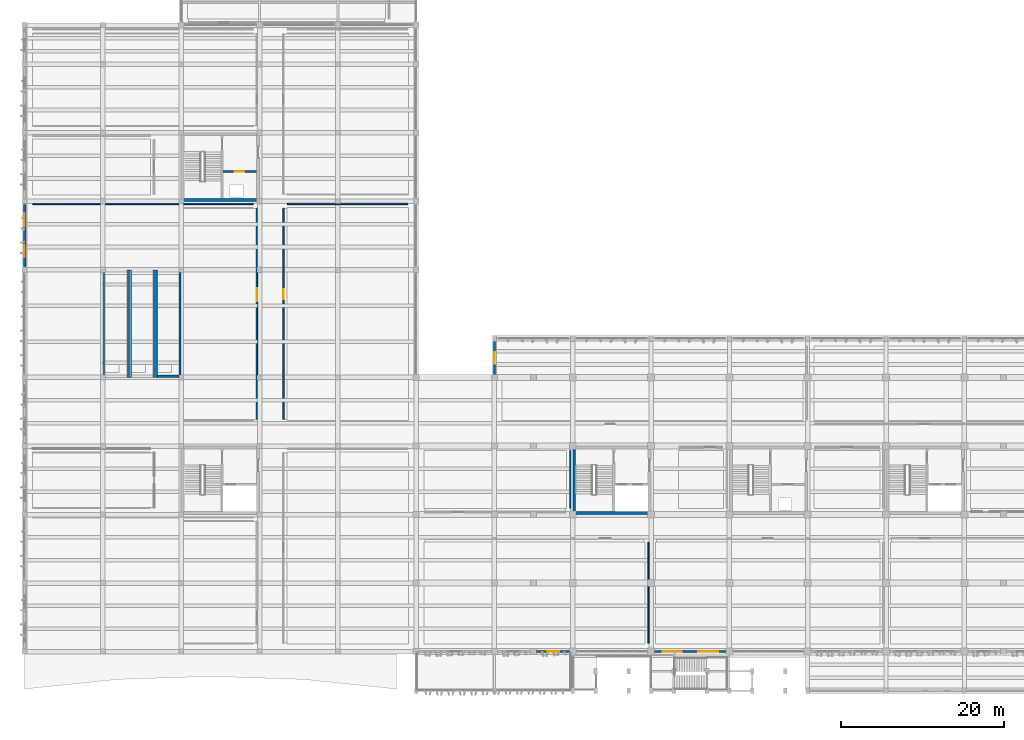
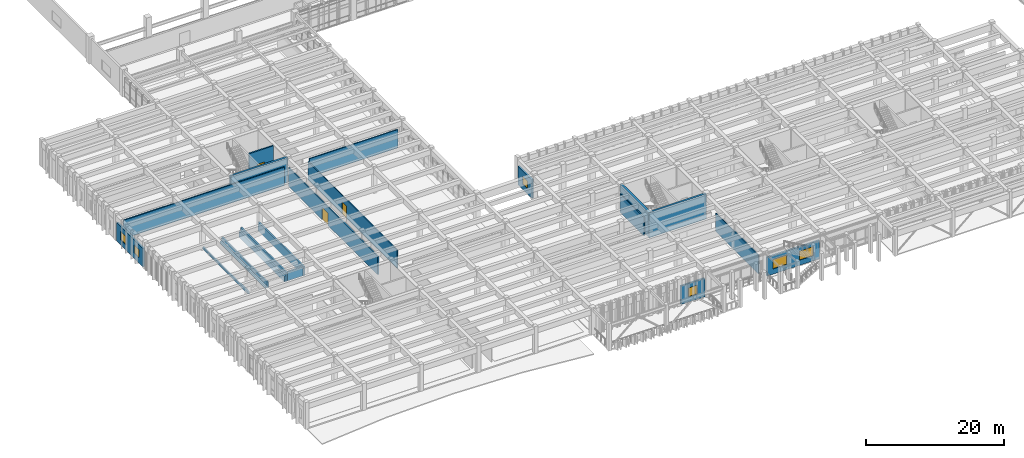
# One storey, part 65 of 86: 21 walls, 6 windows, 3 doors, 9 openings.
"""IFC4 building model written with IfcOpenShell, lengths in metres."""

from ifc_helpers import new_model, si_unit, direction, frame, frame_2d, origin, place, context, subcontext, project, spatial, rectangle, extrude, material, layer, layer_set, type_object, element, fill, save


model = new_model("IFC4")

# Units and contexts
model_context = context("Model", 3, precision=1e-05, world=origin(), true_north=direction((0.0, 1.0)))
body_context = subcontext(model_context, "Body", "Model", "MODEL_VIEW")
ifc_project = project(units=[si_unit("LENGTHUNIT", "METRE"), si_unit("AREAUNIT", "SQUARE_METRE"), si_unit("VOLUMEUNIT", "CUBIC_METRE"), si_unit("PLANEANGLEUNIT", "RADIAN"), si_unit("MASSUNIT", "GRAM", prefix="KILO")], contexts=[model_context])

# Site, building, storey
site_placement = place(None, origin())
site = spatial("IfcSite", under=ifc_project, at=site_placement, CompositionType="ELEMENT")
building_placement = place(site_placement, origin())
building = spatial("IfcBuilding", under=site, at=building_placement, Name="Kolvemor Railside Polytechnic", CompositionType="ELEMENT")
storey_placement = place(building_placement, frame((0.0, 0.0, 5.39990234375)))
storey = spatial("IfcBuildingStorey", under=building, at=storey_placement, Name="L01", CompositionType="ELEMENT", Elevation=5.39990234375)

# Walls
ifc_material_1 = material(Name="Concrete C40/50", Category="concrete")
ifc_layer_1 = layer(ifc_material_1, 0.35009765625, Name="WL-CORE-350")
ifc_layer_set_1 = layer_set([ifc_layer_1], Name="Concrete C40/50")
wall_type_1 = type_object("IfcWallType", Name="WL-CORE-350", PredefinedType="SHEAR", material=ifc_layer_set_1)
wall_1_placement = place(storey_placement, frame((67.199951171875, 21.77490234375, 0.0), z_axis=(0.0, 0.0, 1.0), x_axis=(1.0, 0.0, 0.0)))
element("IfcWall", 1, at=wall_1_placement, inside=storey, type_object=wall_type_1, Name="CORE-1 South Core Wall L01", PredefinedType="SHEAR", context=body_context, shape_type="SweptSolid", body=[
    extrude(rectangle(XDim=9.60009765625, YDim=0.35009765625, at=frame_2d((4.800048828125, 0.0))), origin(), (0.0, 0.0, 1.0), 4.47998046875),
])
wall_2_placement = place(storey_placement, frame((67.375, 21.60009765625, 0.0), z_axis=(0.0, 0.0, 1.0), x_axis=(0.0, 1.0, 0.0)))
element("IfcWall", 2, at=wall_2_placement, inside=storey, type_object=wall_type_1, Name="CORE-1 West Core Wall L01", PredefinedType="SHEAR", context=body_context, shape_type="SweptSolid", body=[
    extrude(rectangle(XDim=8.39990234375, YDim=0.35009765625, at=frame_2d((4.199951171875, 0.0))), origin(), (0.0, 0.0, 1.0), 4.47998046875),
])
wall_3_placement = place(storey_placement, frame((19.199951171875, 60.175048828125, 0.0), z_axis=(0.0, 0.0, 1.0), x_axis=(1.0, 0.0, 0.0)))
element("IfcWall", 3, at=wall_3_placement, inside=storey, type_object=wall_type_1, Name="CORE-5 South Core Wall L01", PredefinedType="SHEAR", context=body_context, shape_type="SweptSolid", body=[
    extrude(rectangle(XDim=9.60009765625, YDim=0.35009765625, at=frame_2d((4.800048828125, 0.0))), origin(), (0.0, 0.0, 1.0), 4.47998046875),
])

# Wall, opening, window
ifc_material_2 = material(Name="Precast concrete C40/50", Category="concrete")
ifc_layer_2 = layer(ifc_material_2, 0.27001953125, Name="WL-EXT-RC-270")
ifc_layer_set_2 = layer_set([ifc_layer_2], Name="Precast concrete C40/50")
wall_type_2 = type_object("IfcWallType", Name="WL-EXT-RC-270", PredefinedType="SOLIDWALL", material=ifc_layer_set_2)
wall_4_placement = place(storey_placement, frame((57.60009765625, 42.820068359375, 0.0), z_axis=(0.0, 0.0, 1.0), x_axis=(0.0, -1.0, 0.0)))
wall_4 = element("IfcWall", 4, at=wall_4_placement, inside=storey, type_object=wall_type_2, Name="Exterior Wall L01-0025", PredefinedType="SOLIDWALL", context=body_context, shape_type="SweptSolid", body=[
    extrude(rectangle(XDim=4.0400390625, YDim=0.27001953125, at=frame_2d((2.02001953125, 0.0))), origin(), (0.0, 0.0, 1.0), 3.280029296875),
])
opening_1_placement = place(wall_4_placement, frame((1.320068359375, 0.0, 0.89990234375)))
opening_1 = element("IfcOpeningElement", 5, at=opening_1_placement, cuts=wall_4, Name="Opening WN-ADM1", PredefinedType="OPENING", context=body_context, shape_type="SweptSolid", body=[
    extrude(rectangle(XDim=1.39990234375, YDim=1.39990234375, at=frame_2d((0.699951171875, 0.699951171875))), frame((0.0, 0.14501953125, 0.0), z_axis=(0.0, -1.0, 0.0), x_axis=(1.0, 0.0, 0.0)), (0.0, 0.0, 1.0), 0.2900390625),
])
ifc_material_3 = material(Name="Hurricane-laminated thermally broken aluminium window", Category="aluminium")
window_type_1 = type_object("IfcWindowType", Name="WN-ADM-140x140", PartitioningType="SINGLE_PANEL", PredefinedType="WINDOW", material=ifc_material_3)
window_1_placement = place(opening_1_placement, origin())
window_1 = element("IfcWindow", 6, at=window_1_placement, inside=storey, type_object=window_type_1, Name="Window L01-0020", OverallHeight=1.39990234375, OverallWidth=1.39990234375, PartitioningType="SINGLE_PANEL", PredefinedType="WINDOW", context=body_context, shape_type="SweptSolid", body=[
    extrude(rectangle(XDim=1.39990234375, YDim=1.39990234375, at=frame_2d((0.699951171875, 0.699951171875))), frame((0.0, 0.030029296875, 0.0), z_axis=(0.0, -1.0, 0.0), x_axis=(1.0, 0.0, 0.0)), (0.0, 0.0, 1.0), 0.06005859375),
])
fill(opening_1, window_1)

wall_5_placement = place(storey_placement, frame((62.780029296875, 4.800048828125, 0.0), z_axis=(0.0, 0.0, 1.0), x_axis=(1.0, 0.0, 0.0)))
wall_5 = element("IfcWall", 7, at=wall_5_placement, inside=storey, type_object=wall_type_2, Name="Exterior Wall L01-0116", PredefinedType="SOLIDWALL", context=body_context, shape_type="SweptSolid", body=[
    extrude(rectangle(XDim=4.0400390625, YDim=0.27001953125, at=frame_2d((2.02001953125, 0.0))), origin(), (0.0, 0.0, 1.0), 3.280029296875),
])
opening_2_placement = place(wall_5_placement, frame((1.27001953125, 0.0, 0.89990234375)))
opening_2 = element("IfcOpeningElement", 8, at=opening_2_placement, cuts=wall_5, Name="Opening WN-STU4", PredefinedType="OPENING", context=body_context, shape_type="SweptSolid", body=[
    extrude(rectangle(XDim=1.5, YDim=1.60009765625, at=frame_2d((0.75, 0.800048828125))), frame((0.0, 0.14501953125, 0.0), z_axis=(0.0, -1.0, 0.0), x_axis=(1.0, 0.0, 0.0)), (0.0, 0.0, 1.0), 0.2900390625),
])
ifc_material_4 = material(Name="Hurricane-laminated thermally broken aluminium window", Category="aluminium")
window_type_2 = type_object("IfcWindowType", Name="WN-STU-150x160", PartitioningType="SINGLE_PANEL", PredefinedType="WINDOW", material=ifc_material_4)
window_2_placement = place(opening_2_placement, origin())
window_2 = element("IfcWindow", 9, at=window_2_placement, inside=storey, type_object=window_type_2, Name="Window L01-0121", OverallHeight=1.60009765625, OverallWidth=1.5, PartitioningType="SINGLE_PANEL", PredefinedType="WINDOW", context=body_context, shape_type="SweptSolid", body=[
    extrude(rectangle(XDim=1.5, YDim=1.60009765625, at=frame_2d((0.75, 0.800048828125))), frame((0.0, 0.030029296875, 0.0), z_axis=(0.0, -1.0, 0.0), x_axis=(1.0, 0.0, 0.0)), (0.0, 0.0, 1.0), 0.06005859375),
])
fill(opening_2, window_2)

# Wall, openings, windows
wall_6_placement = place(storey_placement, frame((77.179931640625, 4.800048828125, 0.0), z_axis=(0.0, 0.0, 1.0), x_axis=(1.0, 0.0, 0.0)))
wall_6 = element("IfcWall", 10, at=wall_6_placement, inside=storey, type_object=wall_type_2, Name="Exterior Wall L01-0117", PredefinedType="SOLIDWALL", context=body_context, shape_type="SweptSolid", body=[
    extrude(rectangle(XDim=8.840087890625, YDim=0.27001953125, at=frame_2d((4.419921875, 0.0))), origin(), (0.0, 0.0, 1.0), 3.280029296875),
])
opening_3_placement = place(wall_6_placement, frame((1.034912109375, 0.0, 0.89990234375)))
opening_3 = element("IfcOpeningElement", 11, at=opening_3_placement, cuts=wall_6, Name="Opening WN-M11", PredefinedType="OPENING", context=body_context, shape_type="SweptSolid", body=[
    extrude(rectangle(XDim=2.35009765625, YDim=1.699951171875, at=frame_2d((1.175048828125, 0.85009765625))), frame((0.0, 0.14501953125, 0.0), z_axis=(0.0, -1.0, 0.0), x_axis=(1.0, 0.0, 0.0)), (0.0, 0.0, 1.0), 0.2900390625),
])
opening_4_placement = place(wall_6_placement, frame((5.429931640625, 0.0, 0.89990234375)))
opening_4 = element("IfcOpeningElement", 12, at=opening_4_placement, cuts=wall_6, Name="Opening WN-STU3", PredefinedType="OPENING", context=body_context, shape_type="SweptSolid", body=[
    extrude(rectangle(XDim=2.39990234375, YDim=1.60009765625, at=frame_2d((1.199951171875, 0.800048828125))), frame((0.0, 0.14501953125, 0.0), z_axis=(0.0, -1.0, 0.0), x_axis=(1.0, 0.0, 0.0)), (0.0, 0.0, 1.0), 0.2900390625),
])
ifc_material_5 = material(Name="Hurricane-laminated thermally broken aluminium window", Category="aluminium")
window_type_3 = type_object("IfcWindowType", Name="WN-MOD-235x170", PartitioningType="DOUBLE_PANEL_VERTICAL", PredefinedType="WINDOW", material=ifc_material_5)
window_3_placement = place(opening_3_placement, origin())
window_3 = element("IfcWindow", 13, at=window_3_placement, inside=storey, type_object=window_type_3, Name="Window L01-0122", OverallHeight=1.699951171875, OverallWidth=2.35009765625, PartitioningType="SINGLE_PANEL", PredefinedType="WINDOW", context=body_context, shape_type="SweptSolid", body=[
    extrude(rectangle(XDim=2.35009765625, YDim=1.699951171875, at=frame_2d((1.175048828125, 0.85009765625))), frame((0.0, 0.030029296875, 0.0), z_axis=(0.0, -1.0, 0.0), x_axis=(1.0, 0.0, 0.0)), (0.0, 0.0, 1.0), 0.06005859375),
])
fill(opening_3, window_3)
ifc_material_6 = material(Name="Hurricane-laminated thermally broken aluminium window", Category="aluminium")
window_type_4 = type_object("IfcWindowType", Name="WN-STU-240x160", PartitioningType="DOUBLE_PANEL_VERTICAL", PredefinedType="WINDOW", material=ifc_material_6)
window_4_placement = place(opening_4_placement, origin())
window_4 = element("IfcWindow", 14, at=window_4_placement, inside=storey, type_object=window_type_4, Name="Window L01-0123", OverallHeight=1.60009765625, OverallWidth=2.39990234375, PartitioningType="SINGLE_PANEL", PredefinedType="WINDOW", context=body_context, shape_type="SweptSolid", body=[
    extrude(rectangle(XDim=2.39990234375, YDim=1.60009765625, at=frame_2d((1.199951171875, 0.800048828125))), frame((0.0, 0.030029296875, 0.0), z_axis=(0.0, -1.0, 0.0), x_axis=(1.0, 0.0, 0.0)), (0.0, 0.0, 1.0), 0.06005859375),
])
fill(opening_4, window_4)

ifc_material_7 = material(Name="Precast concrete C40/50", Category="concrete")
ifc_layer_3 = layer(ifc_material_7, 0.284912109375, Name="WL-EXT-RC-285")
ifc_layer_set_3 = layer_set([ifc_layer_3], Name="Precast concrete C40/50")
wall_type_3 = type_object("IfcWallType", Name="WL-EXT-RC-285", PredefinedType="SOLIDWALL", material=ifc_layer_set_3)
wall_7_placement = place(storey_placement, frame((0.0, 59.6201171875, 0.0), z_axis=(0.0, 0.0, 1.0), x_axis=(0.0, -1.0, 0.0)))
wall_7 = element("IfcWall", 15, at=wall_7_placement, inside=storey, type_object=wall_type_3, Name="Exterior Wall L01-0064", PredefinedType="SOLIDWALL", context=body_context, shape_type="SweptSolid", body=[
    extrude(rectangle(XDim=7.64013671875, YDim=0.284912109375, at=frame_2d((3.820068359375, 0.0))), origin(), (0.0, 0.0, 1.0), 3.280029296875),
])
opening_5_placement = place(wall_7_placement, frame((1.06005859375, 0.0, 0.89990234375)))
opening_5 = element("IfcOpeningElement", 16, at=opening_5_placement, cuts=wall_7, Name="Opening WN-M19", PredefinedType="OPENING", context=body_context, shape_type="SweptSolid", body=[
    extrude(rectangle(XDim=1.699951171875, YDim=1.449951171875, at=frame_2d((0.85009765625, 0.72509765625))), frame((0.0, 0.15234375, 0.0), z_axis=(0.0, -1.0, 0.0), x_axis=(1.0, 0.0, 0.0)), (0.0, 0.0, 1.0), 0.304931640625),
])
opening_6_placement = place(wall_7_placement, frame((5.0048828125, 0.0, 0.89990234375)))
opening_6 = element("IfcOpeningElement", 17, at=opening_6_placement, cuts=wall_7, Name="Opening WN-M02", PredefinedType="OPENING", context=body_context, shape_type="SweptSolid", body=[
    extrude(rectangle(XDim=1.449951171875, YDim=1.449951171875, at=frame_2d((0.72509765625, 0.72509765625))), frame((0.0, 0.15234375, 0.0), z_axis=(0.0, -1.0, 0.0), x_axis=(1.0, 0.0, 0.0)), (0.0, 0.0, 1.0), 0.304931640625),
])
ifc_material_8 = material(Name="Hurricane-laminated thermally broken aluminium window", Category="aluminium")
window_type_5 = type_object("IfcWindowType", Name="WN-MOD-145x145", PartitioningType="SINGLE_PANEL", PredefinedType="WINDOW", material=ifc_material_8)
window_5_placement = place(opening_6_placement, origin())
window_5 = element("IfcWindow", 18, at=window_5_placement, inside=storey, type_object=window_type_5, Name="Window L01-0064", OverallHeight=1.449951171875, OverallWidth=1.449951171875, PartitioningType="SINGLE_PANEL", PredefinedType="WINDOW", context=body_context, shape_type="SweptSolid", body=[
    extrude(rectangle(XDim=1.449951171875, YDim=1.449951171875, at=frame_2d((0.72509765625, 0.72509765625))), frame((0.0, 0.030029296875, 0.0), z_axis=(0.0, -1.0, 0.0), x_axis=(1.0, 0.0, 0.0)), (0.0, 0.0, 1.0), 0.06005859375),
])
fill(opening_6, window_5)
ifc_material_9 = material(Name="Hurricane-laminated thermally broken aluminium window", Category="aluminium")
window_type_6 = type_object("IfcWindowType", Name="WN-MOD-170x145", PartitioningType="SINGLE_PANEL", PredefinedType="WINDOW", material=ifc_material_9)
window_6_placement = place(opening_5_placement, origin())
window_6 = element("IfcWindow", 19, at=window_6_placement, inside=storey, type_object=window_type_6, Name="Window L01-0063", OverallHeight=1.449951171875, OverallWidth=1.699951171875, PartitioningType="SINGLE_PANEL", PredefinedType="WINDOW", context=body_context, shape_type="SweptSolid", body=[
    extrude(rectangle(XDim=1.699951171875, YDim=1.449951171875, at=frame_2d((0.85009765625, 0.72509765625))), frame((0.0, 0.030029296875, 0.0), z_axis=(0.0, -1.0, 0.0), x_axis=(1.0, 0.0, 0.0)), (0.0, 0.0, 1.0), 0.06005859375),
])
fill(opening_5, window_6)

# Wall
ifc_material_10 = material(Name="Acoustic studio partition")
ifc_layer_4 = layer(ifc_material_10, 0.14990234375, Name="WL-PART-150")
ifc_layer_set_4 = layer_set([ifc_layer_4], Name="Acoustic studio partition")
wall_type_4 = type_object("IfcWallType", Name="WL-PART-150", PredefinedType="PARTITIONING", material=ifc_layer_set_4)
wall_8_placement = place(storey_placement, frame((66.8798828125, 22.39990234375, 0.0), z_axis=(0.0, 0.0, 1.0), x_axis=(0.0, 1.0, 0.0)))
element("IfcWall", 20, at=wall_8_placement, inside=storey, type_object=wall_type_4, Name="Demising Partition L01-0108", PredefinedType="PARTITIONING", context=body_context, shape_type="SweptSolid", body=[
    extrude(rectangle(XDim=7.0, YDim=0.14990234375, at=frame_2d((3.5, 0.0))), origin(), (0.0, 0.0, 1.0), 3.260009765625),
])

# Wall, opening, door
ifc_material_11 = material(Name="Fire-rated laboratory corridor partition")
ifc_layer_5 = layer(ifc_material_11, 0.1650390625, Name="WL-PART-165")
ifc_layer_set_5 = layer_set([ifc_layer_5], Name="Fire-rated laboratory corridor partition")
wall_type_5 = type_object("IfcWallType", Name="WL-PART-165", PredefinedType="PARTITIONING", material=ifc_layer_set_5)
wall_9_placement = place(storey_placement, frame((31.719970703125, 33.25, 0.0), z_axis=(0.0, 0.0, 1.0), x_axis=(0.0, 1.0, 0.0)))
wall_9 = element("IfcWall", 21, at=wall_9_placement, inside=storey, type_object=wall_type_5, Name="Partition Wall L01-0094", PredefinedType="PARTITIONING", context=body_context, shape_type="SweptSolid", body=[
    extrude(rectangle(XDim=25.89990234375, YDim=0.1650390625, at=frame_2d((12.949951171875, 0.0))), origin(), (0.0, 0.0, 1.0), 3.260009765625),
])
opening_7_placement = place(wall_9_placement, frame((14.72802734375, 0.0, 0.0)))
opening_7 = element("IfcOpeningElement", 22, at=opening_7_placement, cuts=wall_9, Name="Opening D-01054", PredefinedType="OPENING", context=body_context, shape_type="SweptSolid", body=[
    extrude(rectangle(XDim=1.219970703125, YDim=2.14990234375, at=frame_2d((0.60986328125, 1.074951171875))), frame((0.0, 0.092529296875, 0.0), z_axis=(0.0, -1.0, 0.0), x_axis=(1.0, 0.0, 0.0)), (0.0, 0.0, 1.0), 0.18505859375),
])
ifc_material_12 = material(Name="Fire-rated hardwood and brushed stainless-steel door", Category="steel")
door_type_1 = type_object("IfcDoorType", Name="DR-LAB-122x215", OperationType="NOTDEFINED", PredefinedType="DOOR", material=ifc_material_12)
door_1_placement = place(opening_7_placement, origin())
door_1 = element("IfcDoor", 23, at=door_1_placement, inside=storey, type_object=door_type_1, Name="Room Door D-01054 (Building Physics and Acoustics Laboratory)", OperationType="SINGLE_SWING_LEFT", OverallHeight=2.14990234375, OverallWidth=1.219970703125, PredefinedType="DOOR", context=body_context, shape_type="SweptSolid", body=[
    extrude(rectangle(XDim=1.219970703125, YDim=2.14990234375, at=frame_2d((0.60986328125, 1.074951171875))), frame((0.0, 0.02490234375, 0.0), z_axis=(0.0, -1.0, 0.0), x_axis=(1.0, 0.0, 0.0)), (0.0, 0.0, 1.0), 0.050048828125),
])
fill(opening_7, door_1)

# Walls
wall_10_placement = place(storey_placement, frame((32.199951171875, 59.679931640625, 0.0), z_axis=(0.0, 0.0, 1.0), x_axis=(1.0, 0.0, 0.0)))
element("IfcWall", 24, at=wall_10_placement, inside=storey, type_object=wall_type_5, Name="Demising Partition L01-0095", PredefinedType="PARTITIONING", context=body_context, shape_type="SweptSolid", body=[
    extrude(rectangle(XDim=14.800048828125, YDim=0.1650390625, at=frame_2d((7.39990234375, 0.0))), origin(), (0.0, 0.0, 1.0), 3.260009765625),
])
wall_11_placement = place(storey_placement, frame((76.47998046875, 5.800048828125, 0.0), z_axis=(0.0, 0.0, 1.0), x_axis=(0.0, 1.0, 0.0)))
element("IfcWall", 25, at=wall_11_placement, inside=storey, type_object=wall_type_5, Name="Demising Partition L01-0103", PredefinedType="PARTITIONING", context=body_context, shape_type="SweptSolid", body=[
    extrude(rectangle(XDim=12.39990234375, YDim=0.1650390625, at=frame_2d((6.199951171875, 0.0))), origin(), (0.0, 0.0, 1.0), 3.260009765625),
])

# Wall, opening, door
ifc_material_13 = material(Name="Acoustic concrete blockwork and gypsum", Category="masonry")
ifc_layer_6 = layer(ifc_material_13, 0.199951171875, Name="WL-PART-200")
ifc_layer_set_6 = layer_set([ifc_layer_6], Name="Acoustic concrete blockwork and gypsum")
wall_type_6 = type_object("IfcWallType", Name="WL-PART-200", PredefinedType="PARTITIONING", material=ifc_layer_set_6)
wall_12_placement = place(storey_placement, frame((28.47998046875, 33.25, 0.0), z_axis=(0.0, 0.0, 1.0), x_axis=(0.0, 1.0, 0.0)))
wall_12 = element("IfcWall", 26, at=wall_12_placement, inside=storey, type_object=wall_type_6, Name="Partition Wall L01-0088", PredefinedType="PARTITIONING", context=body_context, shape_type="SweptSolid", body=[
    extrude(rectangle(XDim=25.89990234375, YDim=0.199951171875, at=frame_2d((12.949951171875, 0.0))), origin(), (0.0, 0.0, 1.0), 3.260009765625),
])
opening_8_placement = place(wall_12_placement, frame((14.469970703125, 0.0, 0.0)))
opening_8 = element("IfcOpeningElement", 27, at=opening_8_placement, cuts=wall_12, Name="Opening D-01051", PredefinedType="OPENING", context=body_context, shape_type="SweptSolid", body=[
    extrude(rectangle(XDim=1.64990234375, YDim=2.14990234375, at=frame_2d((0.824951171875, 1.074951171875))), frame((0.0, 0.10986328125, 0.0), z_axis=(0.0, -1.0, 0.0), x_axis=(1.0, 0.0, 0.0)), (0.0, 0.0, 1.0), 0.219970703125),
])
ifc_material_14 = material(Name="Fire-rated hardwood and brushed stainless-steel door", Category="steel")
door_type_2 = type_object("IfcDoorType", Name="DR-LT-165x215", OperationType="NOTDEFINED", PredefinedType="DOOR", material=ifc_material_14)
door_2_placement = place(opening_8_placement, origin())
door_2 = element("IfcDoor", 28, at=door_2_placement, inside=storey, type_object=door_type_2, Name="Room Door D-01051 (Lecture Theatre LT-5)", OperationType="SINGLE_SWING_RIGHT", OverallHeight=2.14990234375, OverallWidth=1.64990234375, PredefinedType="DOOR", context=body_context, shape_type="SweptSolid", body=[
    extrude(rectangle(XDim=1.64990234375, YDim=2.14990234375, at=frame_2d((0.824951171875, 1.074951171875))), frame((0.0, 0.02490234375, 0.0), z_axis=(0.0, -1.0, 0.0), x_axis=(1.0, 0.0, 0.0)), (0.0, 0.0, 1.0), 0.050048828125),
])
fill(opening_8, door_2)

# Wall
wall_13_placement = place(storey_placement, frame((1.0, 59.679931640625, 0.0), z_axis=(0.0, 0.0, 1.0), x_axis=(1.0, 0.0, 0.0)))
element("IfcWall", 29, at=wall_13_placement, inside=storey, type_object=wall_type_6, Name="Demising Partition L01-0089", PredefinedType="PARTITIONING", context=body_context, shape_type="SweptSolid", body=[
    extrude(rectangle(XDim=27.0, YDim=0.199951171875, at=frame_2d((13.5, 0.0))), origin(), (0.0, 0.0, 1.0), 3.260009765625),
])

# Wall, opening, door
ifc_material_15 = material(Name="Concrete C40/50", Category="concrete")
ifc_layer_7 = layer(ifc_material_15, 0.25, Name="WL-SHFT-250")
ifc_layer_set_7 = layer_set([ifc_layer_7], Name="Concrete C40/50")
wall_type_7 = type_object("IfcWallType", Name="WL-SHFT-250", PredefinedType="SHEAR", material=ifc_layer_set_7)
wall_14_placement = place(storey_placement, frame((24.35009765625, 63.675048828125, 0.0), z_axis=(0.0, 0.0, 1.0), x_axis=(1.0, 0.0, 0.0)))
wall_14 = element("IfcWall", 30, at=wall_14_placement, inside=storey, type_object=wall_type_7, Name="CORE-5 Lift Shaft Front Wall L01", PredefinedType="SHEAR", context=body_context, shape_type="SweptSolid", body=[
    extrude(rectangle(XDim=4.099853515625, YDim=0.25, at=frame_2d((2.0498046875, 0.0))), origin(), (0.0, 0.0, 1.0), 4.47998046875),
])
opening_9_placement = place(wall_14_placement, frame((1.39990234375, 0.0, 0.0)))
opening_9 = element("IfcOpeningElement", 31, at=opening_9_placement, cuts=wall_14, Name="Opening D-RSR-5-L01", PredefinedType="OPENING", context=body_context, shape_type="SweptSolid", body=[
    extrude(rectangle(XDim=1.199951171875, YDim=2.14990234375, at=frame_2d((0.60009765625, 1.074951171875))), frame((0.0, 0.135009765625, 0.0), z_axis=(0.0, -1.0, 0.0), x_axis=(1.0, 0.0, 0.0)), (0.0, 0.0, 1.0), 0.27001953125),
])
ifc_material_16 = material(Name="Fire-rated hardwood and brushed stainless-steel door", Category="steel")
door_type_3 = type_object("IfcDoorType", Name="DR-FD60-120x215", OperationType="NOTDEFINED", PredefinedType="DOOR", material=ifc_material_16)
door_3_placement = place(opening_9_placement, origin())
door_3 = element("IfcDoor", 32, at=door_3_placement, inside=storey, type_object=door_type_3, Name="Riser Fire Door CORE-5 L01", OperationType="SINGLE_SWING_RIGHT", OverallHeight=2.14990234375, OverallWidth=1.199951171875, PredefinedType="DOOR", context=body_context, shape_type="SweptSolid", body=[
    extrude(rectangle(XDim=1.199951171875, YDim=2.14990234375, at=frame_2d((0.60009765625, 1.074951171875))), frame((0.0, 0.02490234375, 0.0), z_axis=(0.0, -1.0, 0.0), x_axis=(1.0, 0.0, 0.0)), (0.0, 0.0, 1.0), 0.050048828125),
])
fill(opening_9, door_3)

# Walls
ifc_material_17 = material(Name="Concrete C40/50", Category="concrete")
ifc_layer_8 = layer(ifc_material_17, 0.25, Name="WL-TIER-RC")
ifc_layer_set_8 = layer_set([ifc_layer_8], Name="Concrete C40/50")
wall_type_8 = type_object("IfcWallType", Name="WL-TIER-RC", PredefinedType="SHEAR", material=ifc_layer_set_8)
for number, where, z_axis, x_axis, name in (
    (33, (9.75, 38.39990234375, 0.0), (0.0, 0.0, 1.0), (0.0, 1.0, 0.0), "Lecture Tier Riser Wall LT4-F1"),
    (34, (12.64990234375, 38.39990234375, 0.0), (0.0, 0.0, 1.0), (0.0, 1.0, 0.0), "Lecture Tier Riser Wall LT4-R1"),
):
    element("IfcWall", number, at=place(storey_placement, frame(where, z_axis=z_axis, x_axis=x_axis)), inside=storey, type_object=wall_type_8, Name=name, PredefinedType="SHEAR", context=body_context, shape_type="SweptSolid", body=[
        extrude(rectangle(XDim=13.2001953125, YDim=0.25, at=frame_2d((6.60009765625, 0.0))), origin(), (0.0, 0.0, 1.0), 0.400146484375),
    ])
for number, where, z_axis, x_axis, name in (
    (35, (12.949951171875, 38.39990234375, 0.0), (0.0, 0.0, 1.0), (0.0, 1.0, 0.0), "Lecture Tier Riser Wall LT4-F2"),
    (36, (15.85009765625, 38.39990234375, 0.0), (0.0, 0.0, 1.0), (0.0, 1.0, 0.0), "Lecture Tier Riser Wall LT4-R2"),
):
    element("IfcWall", number, at=place(storey_placement, frame(where, z_axis=z_axis, x_axis=x_axis)), inside=storey, type_object=wall_type_8, Name=name, PredefinedType="SHEAR", context=body_context, shape_type="SweptSolid", body=[
        extrude(rectangle(XDim=13.2001953125, YDim=0.25, at=frame_2d((6.60009765625, 0.0))), origin(), (0.0, 0.0, 1.0), 1.0),
    ])
for number, where, z_axis, x_axis, name in (
    (37, (16.14990234375, 38.39990234375, 0.0), (0.0, 0.0, 1.0), (0.0, 1.0, 0.0), "Lecture Tier Riser Wall LT4-F3"),
    (38, (19.050048828125, 38.39990234375, 0.0), (0.0, 0.0, 1.0), (0.0, 1.0, 0.0), "Lecture Tier Riser Wall LT4-R3"),
):
    element("IfcWall", number, at=place(storey_placement, frame(where, z_axis=z_axis, x_axis=x_axis)), inside=storey, type_object=wall_type_8, Name=name, PredefinedType="SHEAR", context=body_context, shape_type="SweptSolid", body=[
        extrude(rectangle(XDim=13.2001953125, YDim=0.25, at=frame_2d((6.60009765625, 0.0))), origin(), (0.0, 0.0, 1.0), 1.60009765625),
    ])
wall_15_placement = place(storey_placement, frame((16.300048828125, 38.550048828125, 0.0), z_axis=(0.0, 0.0, 1.0), x_axis=(1.0, 0.0, 0.0)))
element("IfcWall", 39, at=wall_15_placement, inside=storey, type_object=wall_type_8, Name="Lecture Tier Flank Wall LT4-S3", PredefinedType="SHEAR", context=body_context, shape_type="SweptSolid", body=[
    extrude(rectangle(XDim=2.599853515625, YDim=0.25, at=frame_2d((1.2998046875, 0.0))), origin(), (0.0, 0.0, 1.0), 1.60009765625),
])

save(model, "model.ifc")
